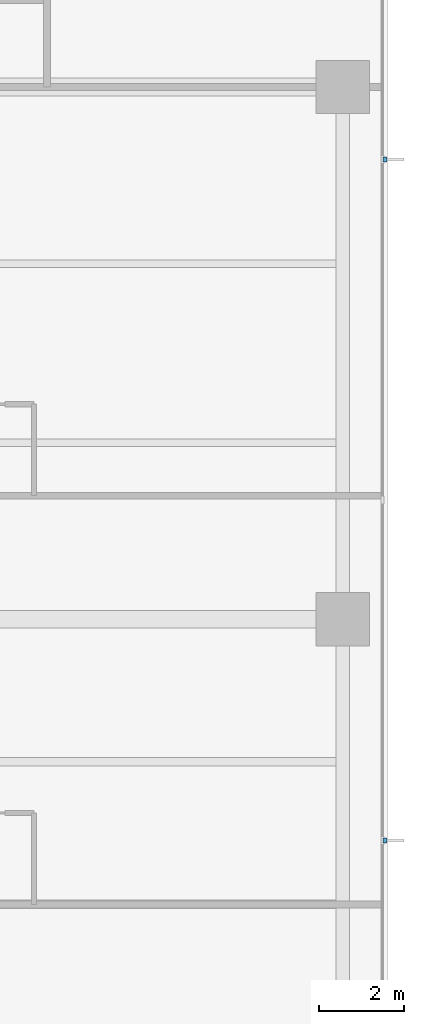
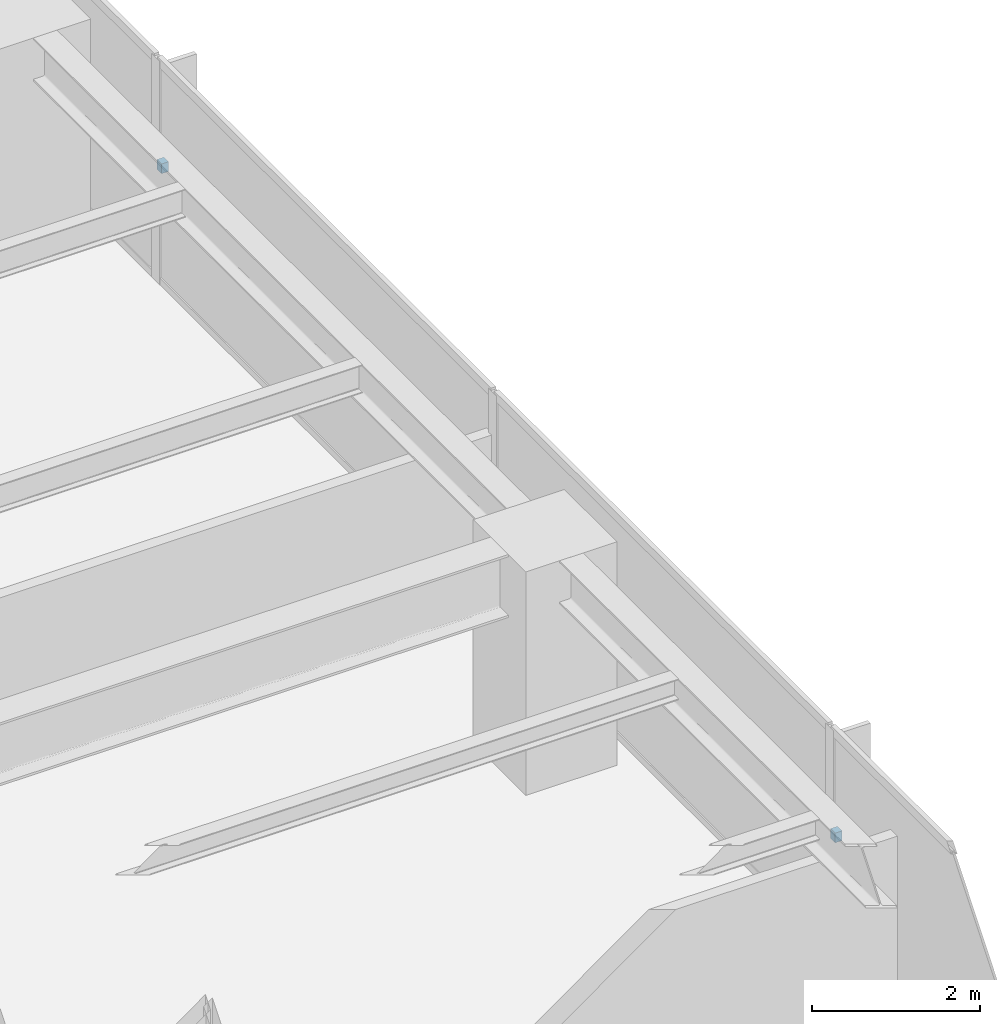
# One storey, part 14 of 17: 2 discrete accessories.
"""IFC4 building model written with IfcOpenShell, lengths in metres."""

from ifc_helpers import new_model, si_unit, direction, frame, origin, place, context, subcontext, project, spatial, polyline, outline, extrude, material, type_object, element, save


model = new_model("IFC4")

# Units and contexts
model_context = context("Model", 3, precision=1e-05, world=origin(), true_north=direction((0.0, 1.0)))
body_context = subcontext(model_context, "Body", "Model", "MODEL_VIEW")
ifc_project = project(units=[si_unit("LENGTHUNIT", "METRE"), si_unit("AREAUNIT", "SQUARE_METRE"), si_unit("VOLUMEUNIT", "CUBIC_METRE"), si_unit("PLANEANGLEUNIT", "RADIAN"), si_unit("MASSUNIT", "GRAM", prefix="KILO")], contexts=[model_context])

# Site, building, storey
site_placement = place(None, origin())
site = spatial("IfcSite", under=ifc_project, at=site_placement, CompositionType="ELEMENT")
building_placement = place(site_placement, origin())
building = spatial("IfcBuilding", under=site, at=building_placement, Name="Qalmaran Belvedere Hotel", CompositionType="ELEMENT")
storey_placement = place(building_placement, frame((0.0, 0.0, 91.699951171875)))
storey = spatial("IfcBuildingStorey", under=building, at=storey_placement, Name="L22", CompositionType="ELEMENT", Elevation=91.699951171875)

# Discrete accessories
ifc_material = material(Name="Stainless Steel 1.4401", Category="steel")
discrete_accessory_type = type_object("IfcDiscreteAccessoryType", Name="BRK-FIN-SS316", PredefinedType="BRACKET", material=ifc_material)
discrete_accessory_1_placement = place(storey_placement, frame((0.0, 0.0, 1.570068359375)))
element("IfcDiscreteAccessory", 1, at=discrete_accessory_1_placement, inside=storey, type_object=discrete_accessory_type, Name="L22 Fin Bracket 1", PredefinedType="BRACKET", context=body_context, shape_type="SweptSolid", body=[
    extrude(outline(polyline([(58.89501953125, 15.2451171875), (58.989990234375, 15.2451171875), (58.989990234375, 15.35498046875), (58.89501953125, 15.35498046875), (58.89501953125, 15.2451171875)])), origin(), (0.0, 0.0, 1.0), 0.139892578125),
])
discrete_accessory_2_placement = place(storey_placement, frame((0.0, 0.0, 1.570068359375)))
element("IfcDiscreteAccessory", 2, at=discrete_accessory_2_placement, inside=storey, type_object=discrete_accessory_type, Name="L22 Fin Bracket 3", PredefinedType="BRACKET", context=body_context, shape_type="SweptSolid", body=[
    extrude(outline(polyline([(58.89501953125, 31.2451171875), (58.989990234375, 31.2451171875), (58.989990234375, 31.35498046875), (58.89501953125, 31.35498046875), (58.89501953125, 31.2451171875)])), origin(), (0.0, 0.0, 1.0), 0.139892578125),
])

save(model, "model.ifc")
